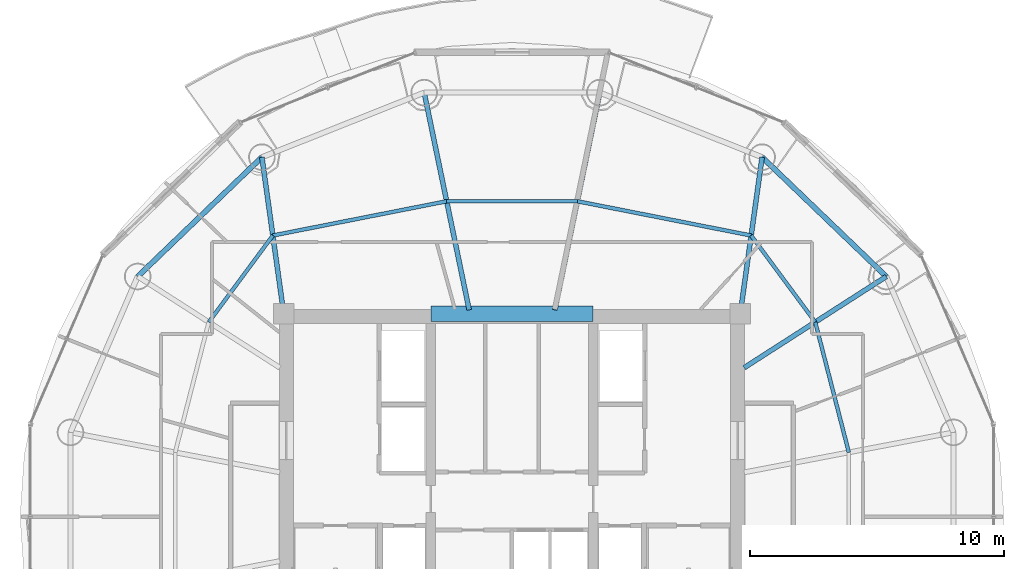
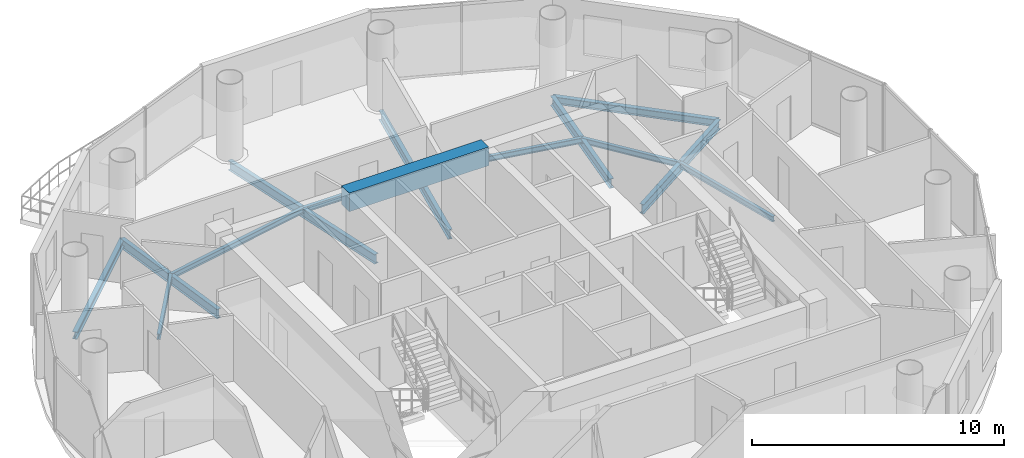
# One storey, part 9 of 22: 14 beams.
"""IFC4 building model written with IfcOpenShell, lengths in metres."""

from ifc_helpers import new_model, si_unit, direction, frame, origin, origin_2d, place, context, subcontext, project, spatial, rectangle, i_section, extrude, material, material_profile, profile_set, type_object, element, save


model = new_model("IFC4")

# Units and contexts
model_context = context("Model", 3, precision=1e-05, world=origin(), true_north=direction((-0.2419218956, 0.970295726276)))
body_context = subcontext(model_context, "Body", "Model", "MODEL_VIEW")
ifc_project = project(units=[si_unit("LENGTHUNIT", "METRE"), si_unit("AREAUNIT", "SQUARE_METRE"), si_unit("VOLUMEUNIT", "CUBIC_METRE"), si_unit("PLANEANGLEUNIT", "RADIAN"), si_unit("MASSUNIT", "GRAM", prefix="KILO")], contexts=[model_context])

# Site, building, storey
site_placement = place(None, origin())
site = spatial("IfcSite", under=ifc_project, at=site_placement, CompositionType="ELEMENT")
building_placement = place(site_placement, origin())
building = spatial("IfcBuilding", under=site, at=building_placement, Name="Cobrevalo Terracotta Tower", CompositionType="ELEMENT")
storey_placement = place(building_placement, frame((0.0, 0.0, 289.449951171875)))
storey = spatial("IfcBuildingStorey", under=building, at=storey_placement, Name="L76", CompositionType="ELEMENT", Elevation=289.449951171875)

# Beams
ifc_material_1 = material(Name="Concrete C60", Category="concrete")
ifc_material_profile_1 = material_profile(ifc_material_1, rectangle(XDim=0.60009765625, YDim=0.89990234375, at=origin_2d()), Name="RC CB 600x900")
ifc_profile_set_1 = profile_set([ifc_material_profile_1], Name="Concrete C60")
beam_type_1 = type_object("IfcBeamType", Name="Structural Beam RC CB 600x900 (Concrete C60)", PredefinedType="BEAM", material=ifc_profile_set_1)
beam_1_placement = place(storey_placement, frame((34.800048828125, 34.800048828125, 3.0400390625), z_axis=(1.0, 0.0, 0.0), x_axis=(0.0, 1.0, 0.0)))
element("IfcBeam", 1, at=beam_1_placement, inside=storey, type_object=beam_type_1, Name="L76 core coupling beam 2", PredefinedType="BEAM", context=body_context, shape_type="SweptSolid", body=[
    extrude(rectangle(XDim=0.60009765625, YDim=0.89990234375, at=origin_2d()), origin(), (0.0, 0.0, 1.0), 6.39990234375),
])
ifc_material_2 = material(Name="Steel S355", Category="steel")
ifc_material_profile_2 = material_profile(ifc_material_2, i_section(OverallWidth=0.19091796875, OverallDepth=0.4599609375, WebThickness=0.010009765625, FlangeThickness=0.01611328125, at=origin_2d()), Name="W 460x82")
ifc_profile_set_2 = profile_set([ifc_material_profile_2], Name="Steel S355")
beam_type_2 = type_object("IfcBeamType", Name="Structural Beam W 460x82 (Steel S355)", PredefinedType="BEAM", material=ifc_profile_set_2)
beam_2_placement = place(storey_placement, frame((52.758544921875, 36.2724609375, -0.489990234375), z_axis=(-0.84157615512, -0.540138477739, 0.0), x_axis=(0.540138477739, -0.84157615512, 0.0)))
element("IfcBeam", 2, at=beam_2_placement, inside=storey, type_object=beam_type_2, Name="L76 radial floor girder 02", PredefinedType="BEAM", context=body_context, shape_type="SweptSolid", body=[
    extrude(i_section(OverallWidth=0.19091796875, OverallDepth=0.4599609375, WebThickness=0.010009765625, FlangeThickness=0.01611328125, at=origin_2d()), origin(), (0.0, 0.0, 1.0), 6.658447265625),
])
beam_3_placement = place(storey_placement, frame((47.861328125, 40.9765625, -0.489990234375), z_axis=(-0.138115657759, -0.990416107039, 0.0), x_axis=(0.990416107039, -0.138115657759, 0.0)))
element("IfcBeam", 3, at=beam_3_placement, inside=storey, type_object=beam_type_2, Name="L76 radial floor girder 03", PredefinedType="BEAM", context=body_context, shape_type="SweptSolid", body=[
    extrude(i_section(OverallWidth=0.19091796875, OverallDepth=0.4599609375, WebThickness=0.010009765625, FlangeThickness=0.01611328125, at=origin_2d()), origin(), (0.0, 0.0, 1.0), 6.236328125),
])
for number, where, z_axis, x_axis, name in (
    (4, (41.462890625, 43.5224609375, -0.489990234375), (-0.202781841237, -0.9792239401, 0.0), (0.9792239401, -0.202781841237, 0.0), "L76 radial floor girder 04"),
    (5, (34.537109375, 43.5224609375, -0.489990234375), (0.202781841237, -0.9792239401, 0.0), (0.9792239401, 0.202781841237, 0.0), "L76 radial floor girder 05"),
):
    element("IfcBeam", number, at=place(storey_placement, frame(where, z_axis=z_axis, x_axis=x_axis)), inside=storey, type_object=beam_type_2, Name=name, PredefinedType="BEAM", context=body_context, shape_type="SweptSolid", body=[
        extrude(i_section(OverallWidth=0.19091796875, OverallDepth=0.4599609375, WebThickness=0.010009765625, FlangeThickness=0.01611328125, at=origin_2d()), origin(), (0.0, 0.0, 1.0), 8.749267578125),
    ])
beam_4_placement = place(storey_placement, frame((28.138671875, 40.9765625, -0.489990234375), z_axis=(0.138115657759, -0.990416107039, 0.0), x_axis=(0.990416107039, 0.138115657759, 0.0)))
element("IfcBeam", 6, at=beam_4_placement, inside=storey, type_object=beam_type_2, Name="L76 radial floor girder 06", PredefinedType="BEAM", context=body_context, shape_type="SweptSolid", body=[
    extrude(i_section(OverallWidth=0.19091796875, OverallDepth=0.4599609375, WebThickness=0.010009765625, FlangeThickness=0.01611328125, at=origin_2d()), origin(), (0.0, 0.0, 1.0), 6.236328125),
])
ifc_material_profile_3 = material_profile(ifc_material_2, i_section(OverallWidth=0.14794921875, OverallDepth=0.26611328125, WebThickness=0.007568359375, FlangeThickness=0.012939453125, at=origin_2d()), Name="W 250x44.8")
ifc_profile_set_3 = profile_set([ifc_material_profile_3], Name="Steel S355")
beam_type_3 = type_object("IfcBeamType", Name="Structural Joist W 250x44.8 (Steel S355)", PredefinedType="JOIST", material=ifc_profile_set_3)
beam_5_placement = place(storey_placement, frame((51.281982421875, 29.337646484375, -0.39306640625), z_axis=(-0.249816773293, 0.968293126993, 0.0), x_axis=(-0.968293126993, -0.249816773293, 0.0)))
element("IfcBeam", 7, at=beam_5_placement, inside=storey, type_object=beam_type_3, Name="L76 circumferential secondary floor joist 01", PredefinedType="JOIST", context=body_context, shape_type="SweptSolid", body=[
    extrude(i_section(OverallWidth=0.14794921875, OverallDepth=0.26611328125, WebThickness=0.007568359375, FlangeThickness=0.012939453125, at=origin_2d()), origin(), (0.0, 0.0, 1.0), 5.3046875),
])
beam_6_placement = place(storey_placement, frame((49.956787109375, 34.47412109375, -0.39306640625), z_axis=(-0.594799916617, 0.803873783123, 0.0), x_axis=(-0.803873783123, -0.594799916617, 0.0)))
element("IfcBeam", 8, at=beam_6_placement, inside=storey, type_object=beam_type_3, Name="L76 circumferential secondary floor joist 02", PredefinedType="JOIST", context=body_context, shape_type="SweptSolid", body=[
    extrude(i_section(OverallWidth=0.14794921875, OverallDepth=0.26611328125, WebThickness=0.007568359375, FlangeThickness=0.012939453125, at=origin_2d()), origin(), (0.0, 0.0, 1.0), 4.2470703125),
])
beam_7_placement = place(storey_placement, frame((47.4306640625, 37.88818359375, -0.39306640625), z_axis=(-0.98113843359, 0.19330642548, 0.0), x_axis=(-0.19330642548, -0.98113843359, 0.0)))
element("IfcBeam", 9, at=beam_7_placement, inside=storey, type_object=beam_type_3, Name="L76 circumferential secondary floor joist 03", PredefinedType="JOIST", context=body_context, shape_type="SweptSolid", body=[
    extrude(i_section(OverallWidth=0.14794921875, OverallDepth=0.26611328125, WebThickness=0.007568359375, FlangeThickness=0.012939453125, at=origin_2d()), origin(), (0.0, 0.0, 1.0), 6.98681640625),
])
beam_8_placement = place(storey_placement, frame((40.57568359375, 39.23876953125, -0.39306640625), z_axis=(-1.0, 0.0, 0.0), x_axis=(0.0, -1.0, 0.0)))
element("IfcBeam", 10, at=beam_8_placement, inside=storey, type_object=beam_type_3, Name="L76 circumferential secondary floor joist 04", PredefinedType="JOIST", context=body_context, shape_type="SweptSolid", body=[
    extrude(i_section(OverallWidth=0.14794921875, OverallDepth=0.26611328125, WebThickness=0.007568359375, FlangeThickness=0.012939453125, at=origin_2d()), origin(), (0.0, 0.0, 1.0), 5.1513671875),
])
beam_9_placement = place(storey_placement, frame((35.42431640625, 39.23876953125, -0.39306640625), z_axis=(-0.98113843359, -0.19330642548, 0.0), x_axis=(0.19330642548, -0.98113843359, 0.0)))
element("IfcBeam", 11, at=beam_9_placement, inside=storey, type_object=beam_type_3, Name="L76 circumferential secondary floor joist 05", PredefinedType="JOIST", context=body_context, shape_type="SweptSolid", body=[
    extrude(i_section(OverallWidth=0.14794921875, OverallDepth=0.26611328125, WebThickness=0.007568359375, FlangeThickness=0.012939453125, at=origin_2d()), origin(), (0.0, 0.0, 1.0), 6.98681640625),
])
beam_10_placement = place(storey_placement, frame((28.5693359375, 37.88818359375, -0.39306640625), z_axis=(-0.594799916617, -0.803873783123, 0.0), x_axis=(0.803873783123, -0.594799916617, 0.0)))
element("IfcBeam", 12, at=beam_10_placement, inside=storey, type_object=beam_type_3, Name="L76 circumferential secondary floor joist 06", PredefinedType="JOIST", context=body_context, shape_type="SweptSolid", body=[
    extrude(i_section(OverallWidth=0.14794921875, OverallDepth=0.26611328125, WebThickness=0.007568359375, FlangeThickness=0.012939453125, at=origin_2d()), origin(), (0.0, 0.0, 1.0), 4.2470703125),
])
ifc_material_profile_4 = material_profile(ifc_material_2, i_section(OverallWidth=0.205078125, OverallDepth=0.35400390625, WebThickness=0.009521484375, FlangeThickness=0.016845703125, at=origin_2d()), Name="W 360x79")
ifc_profile_set_4 = profile_set([ifc_material_profile_4], Name="Steel S355")
beam_type_4 = type_object("IfcBeamType", Name="Structural Spandrel W 360x79 (Steel S355)", PredefinedType="SPANDREL", material=ifc_profile_set_4)
for number, where, z_axis, x_axis, name in (
    (13, (52.758544921875, 36.2724609375, -0.43701171875), (-0.721183246144, 0.692744343522, 0.0), (-0.692744343522, -0.721183246144, 0.0), "L76 perimeter ring spandrel 02"),
    (14, (28.138671875, 40.9765625, -0.43701171875), (-0.721183246144, -0.692744343522, 0.0), (0.692744343522, -0.721183246144, 0.0), "L76 perimeter ring spandrel 06"),
):
    element("IfcBeam", number, at=place(storey_placement, frame(where, z_axis=z_axis, x_axis=x_axis)), inside=storey, type_object=beam_type_4, Name=name, PredefinedType="SPANDREL", context=body_context, shape_type="SweptSolid", body=[
        extrude(i_section(OverallWidth=0.205078125, OverallDepth=0.35400390625, WebThickness=0.009521484375, FlangeThickness=0.016845703125, at=origin_2d()), origin(), (0.0, 0.0, 1.0), 6.79052734375),
    ])

save(model, "model.ifc")
